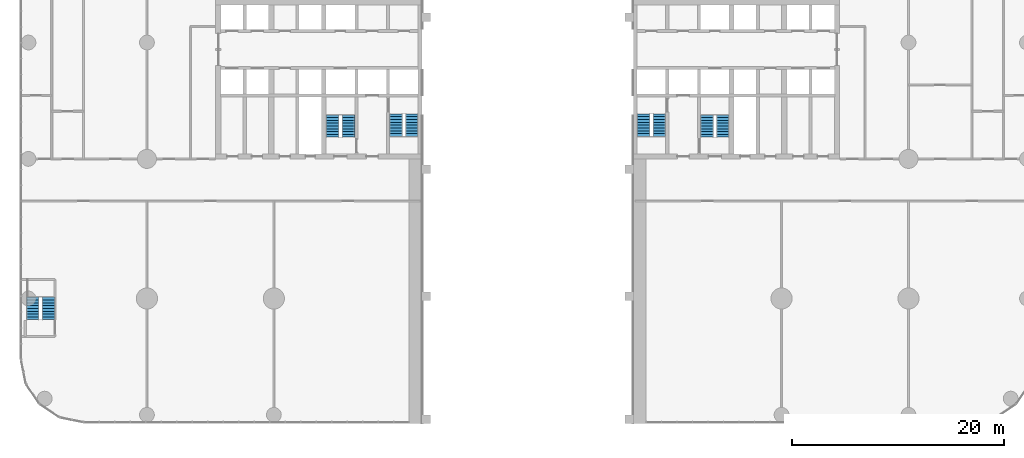
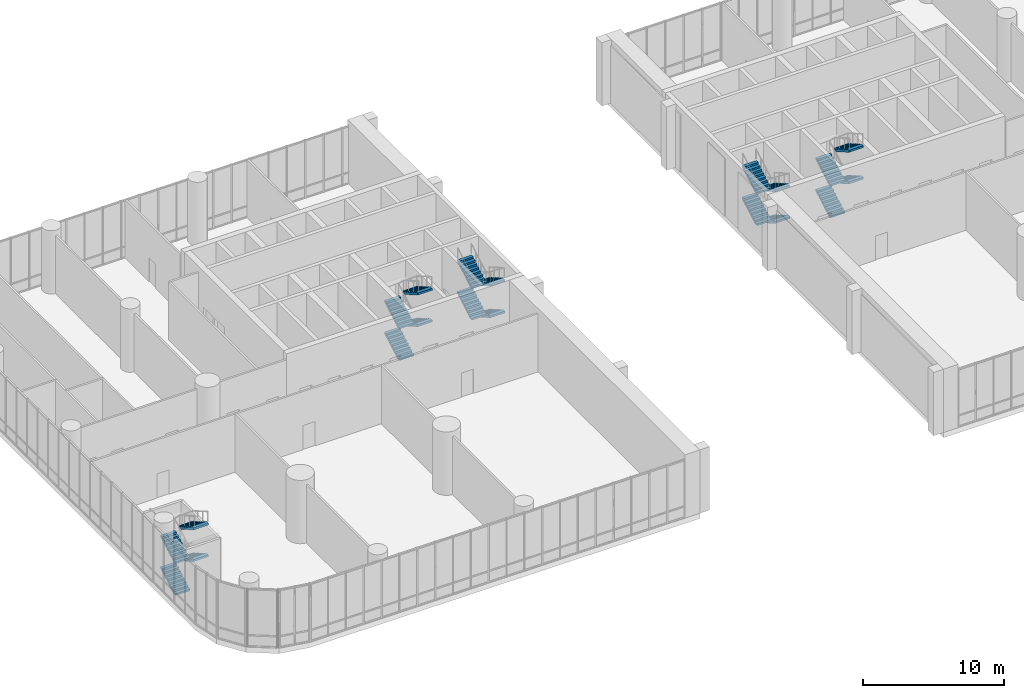
# One storey, part 26 of 28: 20 stair flights, 5 elements without a shape of their own.
"""IFC4 building model written with IfcOpenShell, lengths in metres."""

from ifc_helpers import new_model, si_unit, direction, frame, origin, place, context, subcontext, project, spatial, polyline, outline, extrude, material, type_object, element, aggregate, save


model = new_model("IFC4")

# Units and contexts
model_context = context("Model", 3, precision=1e-05, world=origin(), true_north=direction((0.0, 1.0)))
body_context = subcontext(model_context, "Body", "Model", "MODEL_VIEW")
ifc_project = project(units=[si_unit("LENGTHUNIT", "METRE"), si_unit("AREAUNIT", "SQUARE_METRE"), si_unit("VOLUMEUNIT", "CUBIC_METRE"), si_unit("PLANEANGLEUNIT", "RADIAN"), si_unit("MASSUNIT", "GRAM", prefix="KILO")], contexts=[model_context])

# Site, building, storey
site_placement = place(None, origin())
site = spatial("IfcSite", under=ifc_project, at=site_placement, CompositionType="ELEMENT")
building_placement = place(site_placement, origin())
building = spatial("IfcBuilding", under=site, at=building_placement, Name="Torana Hotel and Residences", CompositionType="ELEMENT")
storey_placement = place(building_placement, frame((0.0, 0.0, 7.0)))
storey = spatial("IfcBuildingStorey", under=building, at=storey_placement, Name="L01", CompositionType="ELEMENT", Elevation=7.0)

# Stair, stair flights
ifc_material_1 = material(Name="Concrete C40/50 precast", Category="concrete")
stair_type_1 = type_object("IfcStairType", Name="STAIR ST1 HALF TURN 1200", PredefinedType="HALF_TURN_STAIR", material=ifc_material_1)
stair_1_placement = place(storey_placement, origin())
stair_1 = element("IfcStair", 1, at=stair_1_placement, inside=storey, type_object=stair_type_1, Name="Stair ST1 L01", PredefinedType="HALF_TURN_STAIR")
ifc_material_2 = material(Name="Concrete C40/50 precast", Category="concrete")
stair_flight_type = type_object("IfcStairFlightType", Name="STAIR FLIGHT 1200 PRECAST", PredefinedType="STRAIGHT", material=ifc_material_2)
stair_flight_1_placement = place(storey_placement, frame((-10.949951171875, -10.75, 0.0), z_axis=(0.0, 0.0, 1.0), x_axis=(0.0, -1.0, 0.0)))
stair_flight_1 = element("IfcStairFlight", 2, at=stair_flight_1_placement, type_object=stair_flight_type, Name="ST1 flight 1", NumberOfRisers=9, NumberOfTreads=8, PredefinedType="STRAIGHT", RiserHeight=0.152777778, TreadLength=0.265, context=body_context, shape_type="SweptSolid", body=[
    extrude(outline(polyline([(0.0, 0.0), (0.0, 0.15283203125), (0.264892578125, 0.15283203125), (0.264892578125, 0.3056640625), (0.530029296875, 0.3056640625), (0.530029296875, 0.458251953125), (0.794921875, 0.458251953125), (0.794921875, 0.611083984375), (1.06005859375, 0.611083984375), (1.06005859375, 0.763916015625), (1.324951171875, 0.763916015625), (1.324951171875, 0.916748046875), (1.590087890625, 0.916748046875), (1.590087890625, 1.0693359375), (1.85498046875, 1.0693359375), (1.85498046875, 1.22216796875), (2.1201171875, 1.22216796875), (2.1201171875, 1.375), (2.1201171875, 1.049072265625), (0.300048828125, 0.0), (0.0, 0.0)])), frame((0.0, 0.60009765625, 0.0), z_axis=(0.0, -1.0, 0.0), x_axis=(1.0, 0.0, 0.0)), (0.0, 0.0, 1.0), 1.199951171875),
])
stair_flight_2_placement = place(storey_placement, frame((-12.449951171875, -12.8701171875, 1.375), z_axis=(0.0, 0.0, 1.0), x_axis=(0.0, 1.0, 0.0)))
stair_flight_2 = element("IfcStairFlight", 3, at=stair_flight_2_placement, type_object=stair_flight_type, Name="ST1 flight 2", NumberOfRisers=9, NumberOfTreads=8, PredefinedType="STRAIGHT", RiserHeight=0.152777778, TreadLength=0.265, context=body_context, shape_type="SweptSolid", body=[
    extrude(outline(polyline([(0.0, 0.0), (0.0, 0.15283203125), (0.264892578125, 0.15283203125), (0.264892578125, 0.3056640625), (0.530029296875, 0.3056640625), (0.530029296875, 0.458251953125), (0.794921875, 0.458251953125), (0.794921875, 0.611083984375), (1.06005859375, 0.611083984375), (1.06005859375, 0.763916015625), (1.324951171875, 0.763916015625), (1.324951171875, 0.916748046875), (1.590087890625, 0.916748046875), (1.590087890625, 1.0693359375), (1.85498046875, 1.0693359375), (1.85498046875, 1.22216796875), (2.1201171875, 1.22216796875), (2.1201171875, 1.375), (2.1201171875, 1.049072265625), (0.300048828125, 0.0), (0.0, 0.0)])), frame((0.0, 0.60009765625, 0.0), z_axis=(0.0, -1.0, 0.0), x_axis=(1.0, 0.0, 0.0)), (0.0, 0.0, 1.0), 1.199951171875),
])
stair_flight_3_placement = place(storey_placement, frame((-10.949951171875, -10.75, 2.75), z_axis=(0.0, 0.0, 1.0), x_axis=(0.0, -1.0, 0.0)))
stair_flight_3 = element("IfcStairFlight", 4, at=stair_flight_3_placement, type_object=stair_flight_type, Name="ST1 flight 3", NumberOfRisers=9, NumberOfTreads=8, PredefinedType="STRAIGHT", RiserHeight=0.152777778, TreadLength=0.265, context=body_context, shape_type="SweptSolid", body=[
    extrude(outline(polyline([(0.0, 0.0), (0.0, 0.15283203125), (0.264892578125, 0.15283203125), (0.264892578125, 0.3056640625), (0.530029296875, 0.3056640625), (0.530029296875, 0.458251953125), (0.794921875, 0.458251953125), (0.794921875, 0.611083984375), (1.06005859375, 0.611083984375), (1.06005859375, 0.763916015625), (1.324951171875, 0.763916015625), (1.324951171875, 0.916748046875), (1.590087890625, 0.916748046875), (1.590087890625, 1.0693359375), (1.85498046875, 1.0693359375), (1.85498046875, 1.22216796875), (2.1201171875, 1.22216796875), (2.1201171875, 1.375), (2.1201171875, 1.049072265625), (0.300048828125, 0.0), (0.0, 0.0)])), frame((0.0, 0.60009765625, 0.0), z_axis=(0.0, -1.0, 0.0), x_axis=(1.0, 0.0, 0.0)), (0.0, 0.0, 1.0), 1.199951171875),
])
stair_flight_4_placement = place(storey_placement, frame((-12.449951171875, -12.8701171875, 4.125), z_axis=(0.0, 0.0, 1.0), x_axis=(0.0, 1.0, 0.0)))
stair_flight_4 = element("IfcStairFlight", 5, at=stair_flight_4_placement, type_object=stair_flight_type, Name="ST1 flight 4", NumberOfRisers=9, NumberOfTreads=8, PredefinedType="STRAIGHT", RiserHeight=0.152777778, TreadLength=0.265, context=body_context, shape_type="SweptSolid", body=[
    extrude(outline(polyline([(0.0, 0.0), (0.0, 0.15283203125), (0.264892578125, 0.15283203125), (0.264892578125, 0.3056640625), (0.530029296875, 0.3056640625), (0.530029296875, 0.458251953125), (0.794921875, 0.458251953125), (0.794921875, 0.611083984375), (1.06005859375, 0.611083984375), (1.06005859375, 0.763916015625), (1.324951171875, 0.763916015625), (1.324951171875, 0.916748046875), (1.590087890625, 0.916748046875), (1.590087890625, 1.0693359375), (1.85498046875, 1.0693359375), (1.85498046875, 1.22216796875), (2.1201171875, 1.22216796875), (2.1201171875, 1.375), (2.1201171875, 1.049072265625), (0.300048828125, 0.0), (0.0, 0.0)])), frame((0.0, 0.60009765625, 0.0), z_axis=(0.0, -1.0, 0.0), x_axis=(1.0, 0.0, 0.0)), (0.0, 0.0, 1.0), 1.199951171875),
])
aggregate(stair_1, [stair_flight_1, stair_flight_2, stair_flight_3, stair_flight_4])

ifc_material_3 = material(Name="Concrete C40/50 precast", Category="concrete")
stair_type_2 = type_object("IfcStairType", Name="STAIR ST2 HALF TURN 1200", PredefinedType="HALF_TURN_STAIR", material=ifc_material_3)
stair_2_placement = place(storey_placement, origin())
stair_2 = element("IfcStair", 6, at=stair_2_placement, inside=storey, type_object=stair_type_2, Name="Stair ST2 L01", PredefinedType="HALF_TURN_STAIR")
stair_flight_5_placement = place(storey_placement, frame((-18.449951171875, -12.949951171875, 0.0), z_axis=(0.0, 0.0, 1.0), x_axis=(0.0, 1.0, 0.0)))
stair_flight_5 = element("IfcStairFlight", 7, at=stair_flight_5_placement, type_object=stair_flight_type, Name="ST2 flight 1", NumberOfRisers=9, NumberOfTreads=8, PredefinedType="STRAIGHT", RiserHeight=0.152777778, TreadLength=0.265, context=body_context, shape_type="SweptSolid", body=[
    extrude(outline(polyline([(0.0, 0.0), (0.0, 0.15283203125), (0.264892578125, 0.15283203125), (0.264892578125, 0.3056640625), (0.530029296875, 0.3056640625), (0.530029296875, 0.458251953125), (0.794921875, 0.458251953125), (0.794921875, 0.611083984375), (1.06005859375, 0.611083984375), (1.06005859375, 0.763916015625), (1.324951171875, 0.763916015625), (1.324951171875, 0.916748046875), (1.590087890625, 0.916748046875), (1.590087890625, 1.0693359375), (1.85498046875, 1.0693359375), (1.85498046875, 1.22216796875), (2.1201171875, 1.22216796875), (2.1201171875, 1.375), (2.1201171875, 1.049072265625), (0.300048828125, 0.0), (0.0, 0.0)])), frame((0.0, 0.60009765625, 0.0), z_axis=(0.0, -1.0, 0.0), x_axis=(1.0, 0.0, 0.0)), (0.0, 0.0, 1.0), 1.199951171875),
])
stair_flight_6_placement = place(storey_placement, frame((-16.949951171875, -10.830078125, 1.375), z_axis=(0.0, 0.0, 1.0), x_axis=(0.0, -1.0, 0.0)))
stair_flight_6 = element("IfcStairFlight", 8, at=stair_flight_6_placement, type_object=stair_flight_type, Name="ST2 flight 2", NumberOfRisers=9, NumberOfTreads=8, PredefinedType="STRAIGHT", RiserHeight=0.152777778, TreadLength=0.265, context=body_context, shape_type="SweptSolid", body=[
    extrude(outline(polyline([(0.0, 0.0), (0.0, 0.15283203125), (0.264892578125, 0.15283203125), (0.264892578125, 0.3056640625), (0.530029296875, 0.3056640625), (0.530029296875, 0.458251953125), (0.794921875, 0.458251953125), (0.794921875, 0.611083984375), (1.06005859375, 0.611083984375), (1.06005859375, 0.763916015625), (1.324951171875, 0.763916015625), (1.324951171875, 0.916748046875), (1.590087890625, 0.916748046875), (1.590087890625, 1.0693359375), (1.85498046875, 1.0693359375), (1.85498046875, 1.22216796875), (2.1201171875, 1.22216796875), (2.1201171875, 1.375), (2.1201171875, 1.049072265625), (0.300048828125, 0.0), (0.0, 0.0)])), frame((0.0, 0.60009765625, 0.0), z_axis=(0.0, -1.0, 0.0), x_axis=(1.0, 0.0, 0.0)), (0.0, 0.0, 1.0), 1.199951171875),
])
stair_flight_7_placement = place(storey_placement, frame((-18.449951171875, -12.949951171875, 2.75), z_axis=(0.0, 0.0, 1.0), x_axis=(0.0, 1.0, 0.0)))
stair_flight_7 = element("IfcStairFlight", 9, at=stair_flight_7_placement, type_object=stair_flight_type, Name="ST2 flight 3", NumberOfRisers=9, NumberOfTreads=8, PredefinedType="STRAIGHT", RiserHeight=0.152777778, TreadLength=0.265, context=body_context, shape_type="SweptSolid", body=[
    extrude(outline(polyline([(0.0, 0.0), (0.0, 0.15283203125), (0.264892578125, 0.15283203125), (0.264892578125, 0.3056640625), (0.530029296875, 0.3056640625), (0.530029296875, 0.458251953125), (0.794921875, 0.458251953125), (0.794921875, 0.611083984375), (1.06005859375, 0.611083984375), (1.06005859375, 0.763916015625), (1.324951171875, 0.763916015625), (1.324951171875, 0.916748046875), (1.590087890625, 0.916748046875), (1.590087890625, 1.0693359375), (1.85498046875, 1.0693359375), (1.85498046875, 1.22216796875), (2.1201171875, 1.22216796875), (2.1201171875, 1.375), (2.1201171875, 1.049072265625), (0.300048828125, 0.0), (0.0, 0.0)])), frame((0.0, 0.60009765625, 0.0), z_axis=(0.0, -1.0, 0.0), x_axis=(1.0, 0.0, 0.0)), (0.0, 0.0, 1.0), 1.199951171875),
])
stair_flight_8_placement = place(storey_placement, frame((-16.949951171875, -10.830078125, 4.125), z_axis=(0.0, 0.0, 1.0), x_axis=(0.0, -1.0, 0.0)))
stair_flight_8 = element("IfcStairFlight", 10, at=stair_flight_8_placement, type_object=stair_flight_type, Name="ST2 flight 4", NumberOfRisers=9, NumberOfTreads=8, PredefinedType="STRAIGHT", RiserHeight=0.152777778, TreadLength=0.265, context=body_context, shape_type="SweptSolid", body=[
    extrude(outline(polyline([(0.0, 0.0), (0.0, 0.15283203125), (0.264892578125, 0.15283203125), (0.264892578125, 0.3056640625), (0.530029296875, 0.3056640625), (0.530029296875, 0.458251953125), (0.794921875, 0.458251953125), (0.794921875, 0.611083984375), (1.06005859375, 0.611083984375), (1.06005859375, 0.763916015625), (1.324951171875, 0.763916015625), (1.324951171875, 0.916748046875), (1.590087890625, 0.916748046875), (1.590087890625, 1.0693359375), (1.85498046875, 1.0693359375), (1.85498046875, 1.22216796875), (2.1201171875, 1.22216796875), (2.1201171875, 1.375), (2.1201171875, 1.049072265625), (0.300048828125, 0.0), (0.0, 0.0)])), frame((0.0, 0.60009765625, 0.0), z_axis=(0.0, -1.0, 0.0), x_axis=(1.0, 0.0, 0.0)), (0.0, 0.0, 1.0), 1.199951171875),
])
aggregate(stair_2, [stair_flight_5, stair_flight_6, stair_flight_7, stair_flight_8])

ifc_material_4 = material(Name="Concrete C40/50 precast", Category="concrete")
stair_type_3 = type_object("IfcStairType", Name="STAIR ST3 HALF TURN 1200", PredefinedType="HALF_TURN_STAIR", material=ifc_material_4)
stair_3_placement = place(storey_placement, origin())
stair_3 = element("IfcStair", 11, at=stair_3_placement, inside=storey, type_object=stair_type_3, Name="Stair ST3 L01", PredefinedType="HALF_TURN_STAIR")
stair_flight_9_placement = place(storey_placement, frame((12.449951171875, -10.75, 0.0), z_axis=(0.0, 0.0, 1.0), x_axis=(0.0, -1.0, 0.0)))
stair_flight_9 = element("IfcStairFlight", 12, at=stair_flight_9_placement, type_object=stair_flight_type, Name="ST3 flight 1", NumberOfRisers=9, NumberOfTreads=8, PredefinedType="STRAIGHT", RiserHeight=0.152777778, TreadLength=0.265, context=body_context, shape_type="SweptSolid", body=[
    extrude(outline(polyline([(0.0, 0.0), (0.0, 0.15283203125), (0.264892578125, 0.15283203125), (0.264892578125, 0.3056640625), (0.530029296875, 0.3056640625), (0.530029296875, 0.458251953125), (0.794921875, 0.458251953125), (0.794921875, 0.611083984375), (1.06005859375, 0.611083984375), (1.06005859375, 0.763916015625), (1.324951171875, 0.763916015625), (1.324951171875, 0.916748046875), (1.590087890625, 0.916748046875), (1.590087890625, 1.0693359375), (1.85498046875, 1.0693359375), (1.85498046875, 1.22216796875), (2.1201171875, 1.22216796875), (2.1201171875, 1.375), (2.1201171875, 1.049072265625), (0.300048828125, 0.0), (0.0, 0.0)])), frame((0.0, 0.60009765625, 0.0), z_axis=(0.0, -1.0, 0.0), x_axis=(1.0, 0.0, 0.0)), (0.0, 0.0, 1.0), 1.199951171875),
])
stair_flight_10_placement = place(storey_placement, frame((10.949951171875, -12.8701171875, 1.375), z_axis=(0.0, 0.0, 1.0), x_axis=(0.0, 1.0, 0.0)))
stair_flight_10 = element("IfcStairFlight", 13, at=stair_flight_10_placement, type_object=stair_flight_type, Name="ST3 flight 2", NumberOfRisers=9, NumberOfTreads=8, PredefinedType="STRAIGHT", RiserHeight=0.152777778, TreadLength=0.265, context=body_context, shape_type="SweptSolid", body=[
    extrude(outline(polyline([(0.0, 0.0), (0.0, 0.15283203125), (0.264892578125, 0.15283203125), (0.264892578125, 0.3056640625), (0.530029296875, 0.3056640625), (0.530029296875, 0.458251953125), (0.794921875, 0.458251953125), (0.794921875, 0.611083984375), (1.06005859375, 0.611083984375), (1.06005859375, 0.763916015625), (1.324951171875, 0.763916015625), (1.324951171875, 0.916748046875), (1.590087890625, 0.916748046875), (1.590087890625, 1.0693359375), (1.85498046875, 1.0693359375), (1.85498046875, 1.22216796875), (2.1201171875, 1.22216796875), (2.1201171875, 1.375), (2.1201171875, 1.049072265625), (0.300048828125, 0.0), (0.0, 0.0)])), frame((0.0, 0.60009765625, 0.0), z_axis=(0.0, -1.0, 0.0), x_axis=(1.0, 0.0, 0.0)), (0.0, 0.0, 1.0), 1.199951171875),
])
stair_flight_11_placement = place(storey_placement, frame((12.449951171875, -10.75, 2.75), z_axis=(0.0, 0.0, 1.0), x_axis=(0.0, -1.0, 0.0)))
stair_flight_11 = element("IfcStairFlight", 14, at=stair_flight_11_placement, type_object=stair_flight_type, Name="ST3 flight 3", NumberOfRisers=9, NumberOfTreads=8, PredefinedType="STRAIGHT", RiserHeight=0.152777778, TreadLength=0.265, context=body_context, shape_type="SweptSolid", body=[
    extrude(outline(polyline([(0.0, 0.0), (0.0, 0.15283203125), (0.264892578125, 0.15283203125), (0.264892578125, 0.3056640625), (0.530029296875, 0.3056640625), (0.530029296875, 0.458251953125), (0.794921875, 0.458251953125), (0.794921875, 0.611083984375), (1.06005859375, 0.611083984375), (1.06005859375, 0.763916015625), (1.324951171875, 0.763916015625), (1.324951171875, 0.916748046875), (1.590087890625, 0.916748046875), (1.590087890625, 1.0693359375), (1.85498046875, 1.0693359375), (1.85498046875, 1.22216796875), (2.1201171875, 1.22216796875), (2.1201171875, 1.375), (2.1201171875, 1.049072265625), (0.300048828125, 0.0), (0.0, 0.0)])), frame((0.0, 0.60009765625, 0.0), z_axis=(0.0, -1.0, 0.0), x_axis=(1.0, 0.0, 0.0)), (0.0, 0.0, 1.0), 1.199951171875),
])
stair_flight_12_placement = place(storey_placement, frame((10.949951171875, -12.8701171875, 4.125), z_axis=(0.0, 0.0, 1.0), x_axis=(0.0, 1.0, 0.0)))
stair_flight_12 = element("IfcStairFlight", 15, at=stair_flight_12_placement, type_object=stair_flight_type, Name="ST3 flight 4", NumberOfRisers=9, NumberOfTreads=8, PredefinedType="STRAIGHT", RiserHeight=0.152777778, TreadLength=0.265, context=body_context, shape_type="SweptSolid", body=[
    extrude(outline(polyline([(0.0, 0.0), (0.0, 0.15283203125), (0.264892578125, 0.15283203125), (0.264892578125, 0.3056640625), (0.530029296875, 0.3056640625), (0.530029296875, 0.458251953125), (0.794921875, 0.458251953125), (0.794921875, 0.611083984375), (1.06005859375, 0.611083984375), (1.06005859375, 0.763916015625), (1.324951171875, 0.763916015625), (1.324951171875, 0.916748046875), (1.590087890625, 0.916748046875), (1.590087890625, 1.0693359375), (1.85498046875, 1.0693359375), (1.85498046875, 1.22216796875), (2.1201171875, 1.22216796875), (2.1201171875, 1.375), (2.1201171875, 1.049072265625), (0.300048828125, 0.0), (0.0, 0.0)])), frame((0.0, 0.60009765625, 0.0), z_axis=(0.0, -1.0, 0.0), x_axis=(1.0, 0.0, 0.0)), (0.0, 0.0, 1.0), 1.199951171875),
])
aggregate(stair_3, [stair_flight_9, stair_flight_10, stair_flight_11, stair_flight_12])

ifc_material_5 = material(Name="Concrete C40/50 precast", Category="concrete")
stair_type_4 = type_object("IfcStairType", Name="STAIR ST4 HALF TURN 1200", PredefinedType="HALF_TURN_STAIR", material=ifc_material_5)
stair_4_placement = place(storey_placement, origin())
stair_4 = element("IfcStair", 16, at=stair_4_placement, inside=storey, type_object=stair_type_4, Name="Stair ST4 L01", PredefinedType="HALF_TURN_STAIR")
stair_flight_13_placement = place(storey_placement, frame((16.949951171875, -12.949951171875, 0.0), z_axis=(0.0, 0.0, 1.0), x_axis=(0.0, 1.0, 0.0)))
stair_flight_13 = element("IfcStairFlight", 17, at=stair_flight_13_placement, type_object=stair_flight_type, Name="ST4 flight 1", NumberOfRisers=9, NumberOfTreads=8, PredefinedType="STRAIGHT", RiserHeight=0.152777778, TreadLength=0.265, context=body_context, shape_type="SweptSolid", body=[
    extrude(outline(polyline([(0.0, 0.0), (0.0, 0.15283203125), (0.264892578125, 0.15283203125), (0.264892578125, 0.3056640625), (0.530029296875, 0.3056640625), (0.530029296875, 0.458251953125), (0.794921875, 0.458251953125), (0.794921875, 0.611083984375), (1.06005859375, 0.611083984375), (1.06005859375, 0.763916015625), (1.324951171875, 0.763916015625), (1.324951171875, 0.916748046875), (1.590087890625, 0.916748046875), (1.590087890625, 1.0693359375), (1.85498046875, 1.0693359375), (1.85498046875, 1.22216796875), (2.1201171875, 1.22216796875), (2.1201171875, 1.375), (2.1201171875, 1.049072265625), (0.300048828125, 0.0), (0.0, 0.0)])), frame((0.0, 0.60009765625, 0.0), z_axis=(0.0, -1.0, 0.0), x_axis=(1.0, 0.0, 0.0)), (0.0, 0.0, 1.0), 1.199951171875),
])
stair_flight_14_placement = place(storey_placement, frame((18.449951171875, -10.830078125, 1.375), z_axis=(0.0, 0.0, 1.0), x_axis=(0.0, -1.0, 0.0)))
stair_flight_14 = element("IfcStairFlight", 18, at=stair_flight_14_placement, type_object=stair_flight_type, Name="ST4 flight 2", NumberOfRisers=9, NumberOfTreads=8, PredefinedType="STRAIGHT", RiserHeight=0.152777778, TreadLength=0.265, context=body_context, shape_type="SweptSolid", body=[
    extrude(outline(polyline([(0.0, 0.0), (0.0, 0.15283203125), (0.264892578125, 0.15283203125), (0.264892578125, 0.3056640625), (0.530029296875, 0.3056640625), (0.530029296875, 0.458251953125), (0.794921875, 0.458251953125), (0.794921875, 0.611083984375), (1.06005859375, 0.611083984375), (1.06005859375, 0.763916015625), (1.324951171875, 0.763916015625), (1.324951171875, 0.916748046875), (1.590087890625, 0.916748046875), (1.590087890625, 1.0693359375), (1.85498046875, 1.0693359375), (1.85498046875, 1.22216796875), (2.1201171875, 1.22216796875), (2.1201171875, 1.375), (2.1201171875, 1.049072265625), (0.300048828125, 0.0), (0.0, 0.0)])), frame((0.0, 0.60009765625, 0.0), z_axis=(0.0, -1.0, 0.0), x_axis=(1.0, 0.0, 0.0)), (0.0, 0.0, 1.0), 1.199951171875),
])
stair_flight_15_placement = place(storey_placement, frame((16.949951171875, -12.949951171875, 2.75), z_axis=(0.0, 0.0, 1.0), x_axis=(0.0, 1.0, 0.0)))
stair_flight_15 = element("IfcStairFlight", 19, at=stair_flight_15_placement, type_object=stair_flight_type, Name="ST4 flight 3", NumberOfRisers=9, NumberOfTreads=8, PredefinedType="STRAIGHT", RiserHeight=0.152777778, TreadLength=0.265, context=body_context, shape_type="SweptSolid", body=[
    extrude(outline(polyline([(0.0, 0.0), (0.0, 0.15283203125), (0.264892578125, 0.15283203125), (0.264892578125, 0.3056640625), (0.530029296875, 0.3056640625), (0.530029296875, 0.458251953125), (0.794921875, 0.458251953125), (0.794921875, 0.611083984375), (1.06005859375, 0.611083984375), (1.06005859375, 0.763916015625), (1.324951171875, 0.763916015625), (1.324951171875, 0.916748046875), (1.590087890625, 0.916748046875), (1.590087890625, 1.0693359375), (1.85498046875, 1.0693359375), (1.85498046875, 1.22216796875), (2.1201171875, 1.22216796875), (2.1201171875, 1.375), (2.1201171875, 1.049072265625), (0.300048828125, 0.0), (0.0, 0.0)])), frame((0.0, 0.60009765625, 0.0), z_axis=(0.0, -1.0, 0.0), x_axis=(1.0, 0.0, 0.0)), (0.0, 0.0, 1.0), 1.199951171875),
])
stair_flight_16_placement = place(storey_placement, frame((18.449951171875, -10.830078125, 4.125), z_axis=(0.0, 0.0, 1.0), x_axis=(0.0, -1.0, 0.0)))
stair_flight_16 = element("IfcStairFlight", 20, at=stair_flight_16_placement, type_object=stair_flight_type, Name="ST4 flight 4", NumberOfRisers=9, NumberOfTreads=8, PredefinedType="STRAIGHT", RiserHeight=0.152777778, TreadLength=0.265, context=body_context, shape_type="SweptSolid", body=[
    extrude(outline(polyline([(0.0, 0.0), (0.0, 0.15283203125), (0.264892578125, 0.15283203125), (0.264892578125, 0.3056640625), (0.530029296875, 0.3056640625), (0.530029296875, 0.458251953125), (0.794921875, 0.458251953125), (0.794921875, 0.611083984375), (1.06005859375, 0.611083984375), (1.06005859375, 0.763916015625), (1.324951171875, 0.763916015625), (1.324951171875, 0.916748046875), (1.590087890625, 0.916748046875), (1.590087890625, 1.0693359375), (1.85498046875, 1.0693359375), (1.85498046875, 1.22216796875), (2.1201171875, 1.22216796875), (2.1201171875, 1.375), (2.1201171875, 1.049072265625), (0.300048828125, 0.0), (0.0, 0.0)])), frame((0.0, 0.60009765625, 0.0), z_axis=(0.0, -1.0, 0.0), x_axis=(1.0, 0.0, 0.0)), (0.0, 0.0, 1.0), 1.199951171875),
])
aggregate(stair_4, [stair_flight_13, stair_flight_14, stair_flight_15, stair_flight_16])

ifc_material_6 = material(Name="Concrete C40/50 precast", Category="concrete")
stair_type_5 = type_object("IfcStairType", Name="STAIR ST5 HALF TURN 1200", PredefinedType="HALF_TURN_STAIR", material=ifc_material_6)
stair_5_placement = place(storey_placement, origin())
stair_5 = element("IfcStair", 21, at=stair_5_placement, inside=storey, type_object=stair_type_5, Name="Stair ST5 L01", PredefinedType="HALF_TURN_STAIR")
stair_flight_17_placement = place(storey_placement, frame((-46.800048828125, -30.199951171875, 0.0), z_axis=(0.0, 0.0, 1.0), x_axis=(0.0, 1.0, 0.0)))
stair_flight_17 = element("IfcStairFlight", 22, at=stair_flight_17_placement, type_object=stair_flight_type, Name="ST5 flight 1", NumberOfRisers=9, NumberOfTreads=8, PredefinedType="STRAIGHT", RiserHeight=0.152777778, TreadLength=0.265, context=body_context, shape_type="SweptSolid", body=[
    extrude(outline(polyline([(0.0, 0.0), (0.0, 0.15283203125), (0.264892578125, 0.15283203125), (0.264892578125, 0.3056640625), (0.530029296875, 0.3056640625), (0.530029296875, 0.458251953125), (0.794921875, 0.458251953125), (0.794921875, 0.611083984375), (1.06005859375, 0.611083984375), (1.06005859375, 0.763916015625), (1.324951171875, 0.763916015625), (1.324951171875, 0.916748046875), (1.590087890625, 0.916748046875), (1.590087890625, 1.0693359375), (1.85498046875, 1.0693359375), (1.85498046875, 1.22216796875), (2.1201171875, 1.22216796875), (2.1201171875, 1.375), (2.1201171875, 1.049072265625), (0.300048828125, 0.0), (0.0, 0.0)])), frame((0.0, 0.60009765625, 0.0), z_axis=(0.0, -1.0, 0.0), x_axis=(1.0, 0.0, 0.0)), (0.0, 0.0, 1.0), 1.199951171875),
])
stair_flight_18_placement = place(storey_placement, frame((-45.300048828125, -28.080078125, 1.375), z_axis=(0.0, 0.0, 1.0), x_axis=(0.0, -1.0, 0.0)))
stair_flight_18 = element("IfcStairFlight", 23, at=stair_flight_18_placement, type_object=stair_flight_type, Name="ST5 flight 2", NumberOfRisers=9, NumberOfTreads=8, PredefinedType="STRAIGHT", RiserHeight=0.152777778, TreadLength=0.265, context=body_context, shape_type="SweptSolid", body=[
    extrude(outline(polyline([(0.0, 0.0), (0.0, 0.15283203125), (0.264892578125, 0.15283203125), (0.264892578125, 0.3056640625), (0.530029296875, 0.3056640625), (0.530029296875, 0.458251953125), (0.794921875, 0.458251953125), (0.794921875, 0.611083984375), (1.06005859375, 0.611083984375), (1.06005859375, 0.763916015625), (1.324951171875, 0.763916015625), (1.324951171875, 0.916748046875), (1.590087890625, 0.916748046875), (1.590087890625, 1.0693359375), (1.85498046875, 1.0693359375), (1.85498046875, 1.22216796875), (2.1201171875, 1.22216796875), (2.1201171875, 1.375), (2.1201171875, 1.049072265625), (0.300048828125, 0.0), (0.0, 0.0)])), frame((0.0, 0.60009765625, 0.0), z_axis=(0.0, -1.0, 0.0), x_axis=(1.0, 0.0, 0.0)), (0.0, 0.0, 1.0), 1.199951171875),
])
stair_flight_19_placement = place(storey_placement, frame((-46.800048828125, -30.199951171875, 2.75), z_axis=(0.0, 0.0, 1.0), x_axis=(0.0, 1.0, 0.0)))
stair_flight_19 = element("IfcStairFlight", 24, at=stair_flight_19_placement, type_object=stair_flight_type, Name="ST5 flight 3", NumberOfRisers=9, NumberOfTreads=8, PredefinedType="STRAIGHT", RiserHeight=0.152777778, TreadLength=0.265, context=body_context, shape_type="SweptSolid", body=[
    extrude(outline(polyline([(0.0, 0.0), (0.0, 0.15283203125), (0.264892578125, 0.15283203125), (0.264892578125, 0.3056640625), (0.530029296875, 0.3056640625), (0.530029296875, 0.458251953125), (0.794921875, 0.458251953125), (0.794921875, 0.611083984375), (1.06005859375, 0.611083984375), (1.06005859375, 0.763916015625), (1.324951171875, 0.763916015625), (1.324951171875, 0.916748046875), (1.590087890625, 0.916748046875), (1.590087890625, 1.0693359375), (1.85498046875, 1.0693359375), (1.85498046875, 1.22216796875), (2.1201171875, 1.22216796875), (2.1201171875, 1.375), (2.1201171875, 1.049072265625), (0.300048828125, 0.0), (0.0, 0.0)])), frame((0.0, 0.60009765625, 0.0), z_axis=(0.0, -1.0, 0.0), x_axis=(1.0, 0.0, 0.0)), (0.0, 0.0, 1.0), 1.199951171875),
])
stair_flight_20_placement = place(storey_placement, frame((-45.300048828125, -28.080078125, 4.125), z_axis=(0.0, 0.0, 1.0), x_axis=(0.0, -1.0, 0.0)))
stair_flight_20 = element("IfcStairFlight", 25, at=stair_flight_20_placement, type_object=stair_flight_type, Name="ST5 flight 4", NumberOfRisers=9, NumberOfTreads=8, PredefinedType="STRAIGHT", RiserHeight=0.152777778, TreadLength=0.265, context=body_context, shape_type="SweptSolid", body=[
    extrude(outline(polyline([(0.0, 0.0), (0.0, 0.15283203125), (0.264892578125, 0.15283203125), (0.264892578125, 0.3056640625), (0.530029296875, 0.3056640625), (0.530029296875, 0.458251953125), (0.794921875, 0.458251953125), (0.794921875, 0.611083984375), (1.06005859375, 0.611083984375), (1.06005859375, 0.763916015625), (1.324951171875, 0.763916015625), (1.324951171875, 0.916748046875), (1.590087890625, 0.916748046875), (1.590087890625, 1.0693359375), (1.85498046875, 1.0693359375), (1.85498046875, 1.22216796875), (2.1201171875, 1.22216796875), (2.1201171875, 1.375), (2.1201171875, 1.049072265625), (0.300048828125, 0.0), (0.0, 0.0)])), frame((0.0, 0.60009765625, 0.0), z_axis=(0.0, -1.0, 0.0), x_axis=(1.0, 0.0, 0.0)), (0.0, 0.0, 1.0), 1.199951171875),
])
aggregate(stair_5, [stair_flight_17, stair_flight_18, stair_flight_19, stair_flight_20])

save(model, "model.ifc")
